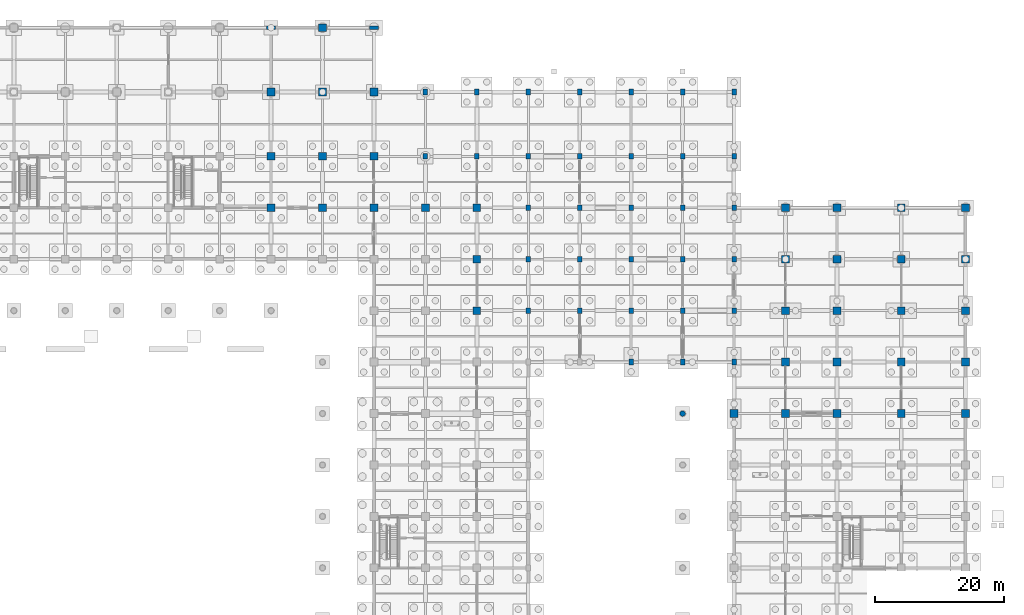
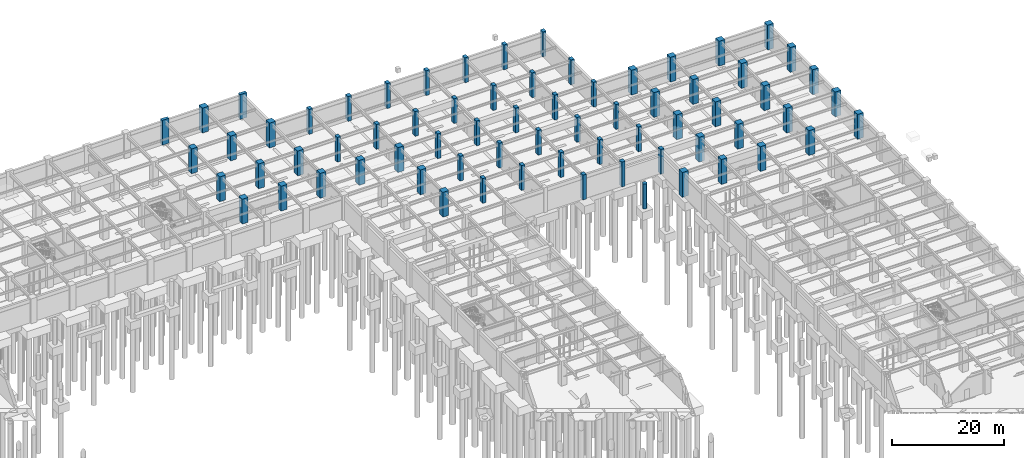
# One storey, part 58 of 97: 70 columns.
"""IFC4 building model written with IfcOpenShell, lengths in metres."""

from ifc_helpers import new_model, si_unit, direction, frame, origin, origin_2d, place, context, subcontext, project, spatial, rectangle, circle, extrude, material, material_profile, profile_set, type_object, element, save


model = new_model("IFC4")

# Units and contexts
model_context = context("Model", 3, precision=1e-05, world=origin(), true_north=direction((0.0, 1.0)))
body_context = subcontext(model_context, "Body", "Model", "MODEL_VIEW")
ifc_project = project(units=[si_unit("LENGTHUNIT", "METRE"), si_unit("AREAUNIT", "SQUARE_METRE"), si_unit("VOLUMEUNIT", "CUBIC_METRE"), si_unit("PLANEANGLEUNIT", "RADIAN"), si_unit("MASSUNIT", "GRAM", prefix="KILO")], contexts=[model_context])

# Site, building, storey
site_placement = place(None, origin())
site = spatial("IfcSite", under=ifc_project, at=site_placement, CompositionType="ELEMENT")
building_placement = place(site_placement, origin())
building = spatial("IfcBuilding", under=site, at=building_placement, Name="Haebicheon Civic Stadium", CompositionType="ELEMENT")
storey_placement = place(building_placement, frame((0.0, 0.0, -5.39990234375)))
storey = spatial("IfcBuildingStorey", under=building, at=storey_placement, Name="B1", CompositionType="ELEMENT", Elevation=-5.39990234375)

# Columns
ifc_material_1 = material(Name="Concrete C40/50", Category="concrete")
ifc_material_profile_1 = material_profile(ifc_material_1, rectangle(XDim=1.199951171875, YDim=1.199951171875, at=origin_2d()), Name="RC-COL-1200x1200")
ifc_profile_set_1 = profile_set([ifc_material_profile_1], Name="Concrete C40/50")
column_type_1 = type_object("IfcColumnType", Name="COL-RC-1200", PredefinedType="COLUMN", material=ifc_profile_set_1)
for number, where, z_axis, x_axis, name in (
    (1, (128.0, 160.0, 0.0), (0.0, 0.0, 1.0), (1.0, 0.0, 0.0), "B1 column 17/W"),
    (2, (128.0, 168.0, 0.0), (0.0, 0.0, 1.0), (1.0, 0.0, 0.0), "B1 column 17/X"),
    (3, (128.0, 178.0, 0.0), (0.0, 0.0, 1.0), (1.0, 0.0, 0.0), "B1 column 17/Y"),
    (4, (136.0, 160.0, 0.0), (0.0, 0.0, 1.0), (1.0, 0.0, 0.0), "B1 column 18/W"),
    (5, (136.0, 168.0, 0.0), (0.0, 0.0, 1.0), (1.0, 0.0, 0.0), "B1 column 18/X"),
    (6, (136.0, 178.0, 0.0), (0.0, 0.0, 1.0), (1.0, 0.0, 0.0), "B1 column 18/Y"),
    (7, (136.0, 188.0, 0.0), (0.0, 0.0, 1.0), (1.0, 0.0, 0.0), "B1 column 18/Z"),
    (8, (144.0, 160.0, 0.0), (0.0, 0.0, 1.0), (1.0, 0.0, 0.0), "B1 column 19/W"),
    (9, (144.0, 168.0, 0.0), (0.0, 0.0, 1.0), (1.0, 0.0, 0.0), "B1 column 19/X"),
    (10, (144.0, 178.0, 0.0), (0.0, 0.0, 1.0), (1.0, 0.0, 0.0), "B1 column 19/Y"),
    (11, (152.0, 160.0, 0.0), (0.0, 0.0, 1.0), (1.0, 0.0, 0.0), "B1 column 20/W"),
    (12, (160.0, 144.0, 0.0), (0.0, 0.0, 1.0), (1.0, 0.0, 0.0), "B1 column 21/U"),
    (13, (160.0, 152.0, 0.0), (0.0, 0.0, 1.0), (1.0, 0.0, 0.0), "B1 column 21/V"),
    (14, (160.0, 160.0, 0.0), (0.0, 0.0, 1.0), (1.0, 0.0, 0.0), "B1 column 21/W"),
    (15, (200.0, 128.0, 0.0), (0.0, 0.0, 1.0), (1.0, 0.0, 0.0), "B1 column 26/S"),
    (16, (208.0, 128.0, 0.0), (0.0, 0.0, 1.0), (1.0, 0.0, 0.0), "B1 column 27/S"),
    (17, (208.0, 136.0, 0.0), (0.0, 0.0, 1.0), (1.0, 0.0, 0.0), "B1 column 27/T"),
    (18, (208.0, 144.0, 0.0), (0.0, 0.0, 1.0), (1.0, 0.0, 0.0), "B1 column 27/U"),
    (19, (208.0, 152.0, 0.0), (0.0, 0.0, 1.0), (1.0, 0.0, 0.0), "B1 column 27/V"),
    (20, (208.0, 160.0, 0.0), (0.0, 0.0, 1.0), (1.0, 0.0, 0.0), "B1 column 27/W"),
    (21, (216.0, 128.0, 0.0), (0.0, 0.0, 1.0), (1.0, 0.0, 0.0), "B1 column 28/S"),
    (22, (216.0, 136.0, 0.0), (0.0, 0.0, 1.0), (1.0, 0.0, 0.0), "B1 column 28/T"),
    (23, (216.0, 144.0, 0.0), (0.0, 0.0, 1.0), (1.0, 0.0, 0.0), "B1 column 28/U"),
    (24, (216.0, 152.0, 0.0), (0.0, 0.0, 1.0), (1.0, 0.0, 0.0), "B1 column 28/V"),
    (25, (216.0, 160.0, 0.0), (0.0, 0.0, 1.0), (1.0, 0.0, 0.0), "B1 column 28/W"),
    (26, (226.0, 128.0, 0.0), (0.0, 0.0, 1.0), (1.0, 0.0, 0.0), "B1 column 29/S"),
    (27, (226.0, 136.0, 0.0), (0.0, 0.0, 1.0), (1.0, 0.0, 0.0), "B1 column 29/T"),
    (28, (226.0, 144.0, 0.0), (0.0, 0.0, 1.0), (1.0, 0.0, 0.0), "B1 column 29/U"),
    (29, (226.0, 152.0, 0.0), (0.0, 0.0, 1.0), (1.0, 0.0, 0.0), "B1 column 29/V"),
    (30, (226.0, 160.0, 0.0), (0.0, 0.0, 1.0), (1.0, 0.0, 0.0), "B1 column 29/W"),
    (31, (236.0, 128.0, 0.0), (0.0, 0.0, 1.0), (1.0, 0.0, 0.0), "B1 column 30/S"),
    (32, (236.0, 136.0, 0.0), (0.0, 0.0, 1.0), (1.0, 0.0, 0.0), "B1 column 30/T"),
    (33, (236.0, 144.0, 0.0), (0.0, 0.0, 1.0), (1.0, 0.0, 0.0), "B1 column 30/U"),
    (34, (236.0, 152.0, 0.0), (0.0, 0.0, 1.0), (1.0, 0.0, 0.0), "B1 column 30/V"),
    (35, (236.0, 160.0, 0.0), (0.0, 0.0, 1.0), (1.0, 0.0, 0.0), "B1 column 30/W"),
):
    element("IfcColumn", number, at=place(storey_placement, frame(where, z_axis=z_axis, x_axis=x_axis)), inside=storey, type_object=column_type_1, material=ifc_profile_set_1, Name=name, PredefinedType="COLUMN", context=body_context, shape_type="SweptSolid", body=[
        extrude(rectangle(XDim=1.199951171875, YDim=1.199951171875, at=origin_2d()), origin(), (0.0, 0.0, 1.0), 5.39990234375),
    ])
ifc_material_2 = material(Name="Concrete C40/50", Category="concrete")
ifc_material_profile_2 = material_profile(ifc_material_2, rectangle(XDim=0.699951171875, YDim=0.89990234375, at=origin_2d()), Name="RC-COL-900x700")
ifc_profile_set_2 = profile_set([ifc_material_profile_2], Name="Concrete C40/50")
column_type_2 = type_object("IfcColumnType", Name="COL-RC-900x700", PredefinedType="COLUMN", material=ifc_profile_set_2)
for number, where, z_axis, x_axis, name in (
    (36, (152.0, 168.0, 0.0), (0.0, 0.0, 1.0), (1.0, 0.0, 0.0), "B1 column 20/X"),
    (37, (152.0, 178.0, 0.0), (0.0, 0.0, 1.0), (1.0, 0.0, 0.0), "B1 column 20/Y"),
    (38, (160.0, 168.0, 0.0), (0.0, 0.0, 1.0), (1.0, 0.0, 0.0), "B1 column 21/X"),
    (39, (160.0, 178.0, 0.0), (0.0, 0.0, 1.0), (1.0, 0.0, 0.0), "B1 column 21/Y"),
    (40, (168.0, 144.0, 0.0), (0.0, 0.0, 1.0), (1.0, 0.0, 0.0), "B1 column 22/U"),
    (41, (168.0, 152.0, 0.0), (0.0, 0.0, 1.0), (1.0, 0.0, 0.0), "B1 column 22/V"),
    (42, (168.0, 160.0, 0.0), (0.0, 0.0, 1.0), (1.0, 0.0, 0.0), "B1 column 22/W"),
    (43, (168.0, 168.0, 0.0), (0.0, 0.0, 1.0), (1.0, 0.0, 0.0), "B1 column 22/X"),
    (44, (168.0, 178.0, 0.0), (0.0, 0.0, 1.0), (1.0, 0.0, 0.0), "B1 column 22/Y"),
    (45, (176.0, 144.0, 0.0), (0.0, 0.0, 1.0), (1.0, 0.0, 0.0), "B1 column 23/U"),
    (46, (176.0, 152.0, 0.0), (0.0, 0.0, 1.0), (1.0, 0.0, 0.0), "B1 column 23/V"),
    (47, (176.0, 160.0, 0.0), (0.0, 0.0, 1.0), (1.0, 0.0, 0.0), "B1 column 23/W"),
    (48, (176.0, 168.0, 0.0), (0.0, 0.0, 1.0), (1.0, 0.0, 0.0), "B1 column 23/X"),
    (49, (176.0, 178.0, 0.0), (0.0, 0.0, 1.0), (1.0, 0.0, 0.0), "B1 column 23/Y"),
    (50, (184.0, 136.0, 0.0), (0.0, 0.0, 1.0), (1.0, 0.0, 0.0), "B1 column 24/T"),
    (51, (184.0, 144.0, 0.0), (0.0, 0.0, 1.0), (1.0, 0.0, 0.0), "B1 column 24/U"),
    (52, (184.0, 152.0, 0.0), (0.0, 0.0, 1.0), (1.0, 0.0, 0.0), "B1 column 24/V"),
    (53, (184.0, 160.0, 0.0), (0.0, 0.0, 1.0), (1.0, 0.0, 0.0), "B1 column 24/W"),
    (54, (184.0, 168.0, 0.0), (0.0, 0.0, 1.0), (1.0, 0.0, 0.0), "B1 column 24/X"),
    (55, (184.0, 178.0, 0.0), (0.0, 0.0, 1.0), (1.0, 0.0, 0.0), "B1 column 24/Y"),
    (56, (192.0, 136.0, 0.0), (0.0, 0.0, 1.0), (1.0, 0.0, 0.0), "B1 column 25/T"),
    (57, (192.0, 144.0, 0.0), (0.0, 0.0, 1.0), (1.0, 0.0, 0.0), "B1 column 25/U"),
    (58, (192.0, 152.0, 0.0), (0.0, 0.0, 1.0), (1.0, 0.0, 0.0), "B1 column 25/V"),
    (59, (192.0, 160.0, 0.0), (0.0, 0.0, 1.0), (1.0, 0.0, 0.0), "B1 column 25/W"),
    (60, (192.0, 168.0, 0.0), (0.0, 0.0, 1.0), (1.0, 0.0, 0.0), "B1 column 25/X"),
    (61, (192.0, 178.0, 0.0), (0.0, 0.0, 1.0), (1.0, 0.0, 0.0), "B1 column 25/Y"),
    (62, (200.0, 136.0, 0.0), (0.0, 0.0, 1.0), (1.0, 0.0, 0.0), "B1 column 26/T"),
    (63, (200.0, 144.0, 0.0), (0.0, 0.0, 1.0), (1.0, 0.0, 0.0), "B1 column 26/U"),
    (64, (200.0, 152.0, 0.0), (0.0, 0.0, 1.0), (1.0, 0.0, 0.0), "B1 column 26/V"),
    (65, (200.0, 160.0, 0.0), (0.0, 0.0, 1.0), (1.0, 0.0, 0.0), "B1 column 26/W"),
    (66, (200.0, 168.0, 0.0), (0.0, 0.0, 1.0), (1.0, 0.0, 0.0), "B1 column 26/X"),
    (67, (200.0, 178.0, 0.0), (0.0, 0.0, 1.0), (1.0, 0.0, 0.0), "B1 column 26/Y"),
):
    element("IfcColumn", number, at=place(storey_placement, frame(where, z_axis=z_axis, x_axis=x_axis)), inside=storey, type_object=column_type_2, material=ifc_profile_set_2, Name=name, PredefinedType="COLUMN", context=body_context, shape_type="SweptSolid", body=[
        extrude(rectangle(XDim=0.699951171875, YDim=0.89990234375, at=origin_2d()), origin(), (0.0, 0.0, 1.0), 5.39990234375),
    ])
ifc_material_3 = material(Name="Concrete C40/50", Category="concrete")
ifc_material_profile_3 = material_profile(ifc_material_3, circle(Radius=0.425048828125, at=origin_2d()), Name="RC-COL-D850")
ifc_profile_set_3 = profile_set([ifc_material_profile_3], Name="Concrete C40/50")
column_type_3 = type_object("IfcColumnType", Name="COL-RC-D850", PredefinedType="COLUMN", material=ifc_profile_set_3)
column_placement = place(storey_placement, frame((192.0, 128.0, 0.0), z_axis=(0.0, 0.0, 1.0), x_axis=(1.0, 0.0, 0.0)))
element("IfcColumn", 68, at=column_placement, inside=storey, type_object=column_type_3, material=ifc_profile_set_3, Name="Bowl/canopy support column 192/128 (B1)", PredefinedType="COLUMN", context=body_context, shape_type="SweptSolid", body=[
    extrude(circle(Radius=0.425048828125, at=origin_2d()), origin(), (0.0, 0.0, 1.0), 5.39990234375),
])
ifc_material_4 = material(Name="Concrete C40/50", Category="concrete")
ifc_material_profile_4 = material_profile(ifc_material_4, rectangle(XDim=0.60009765625, YDim=1.39990234375, at=origin_2d()), Name="RC-PIL-600x1400")
ifc_profile_set_4 = profile_set([ifc_material_profile_4], Name="Concrete C40/50")
column_type_4 = type_object("IfcColumnType", Name="PIL-RC-600x1400", PredefinedType="PILASTER", material=ifc_profile_set_4)
for number, where, z_axis, x_axis, name in (
    (69, (128.0, 188.0, 0.0), (0.0, 0.0, 1.0), (0.0, 1.0, 0.0), "B1 column 17/Z"),
    (70, (144.0, 188.0, 0.0), (0.0, 0.0, 1.0), (0.0, 1.0, 0.0), "B1 column 19/Z"),
):
    element("IfcColumn", number, at=place(storey_placement, frame(where, z_axis=z_axis, x_axis=x_axis)), inside=storey, type_object=column_type_4, material=ifc_profile_set_4, Name=name, PredefinedType="PILASTER", context=body_context, shape_type="SweptSolid", body=[
        extrude(rectangle(XDim=0.60009765625, YDim=1.39990234375, at=origin_2d()), origin(), (0.0, 0.0, 1.0), 5.39990234375),
    ])

save(model, "model.ifc")
